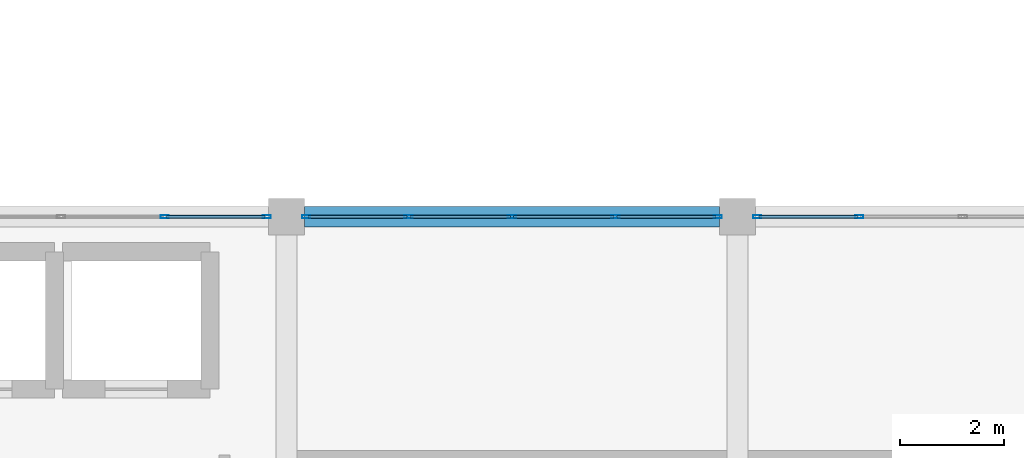
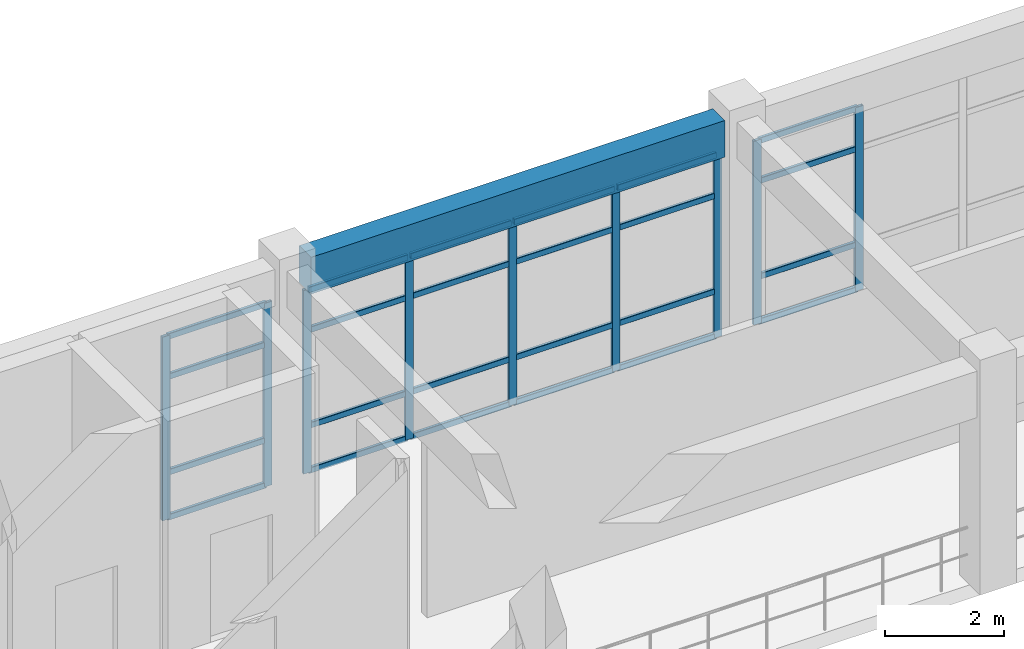
# One storey, part 24 of 64: 33 members, 1 beam, 3 elements without a shape of their own.
"""IFC4 building model written with IfcOpenShell, lengths in metres."""

from ifc_helpers import new_model, si_unit, derived_unit, direction, frame, origin, origin_2d, place, context, subcontext, project, spatial, rectangle, hollow_rectangle, extrude, material, layer, layer_set, material_profile, profile_set, type_object, element, aggregate, save


model = new_model("IFC4")

# Units and contexts
model_context = context("Model", 3, precision=1e-05, world=origin(), true_north=direction((0.0, 1.0)))
body_context = subcontext(model_context, "Body", "Model", "MODEL_VIEW")
ifc_project = project(units=[si_unit("LENGTHUNIT", "METRE"), si_unit("AREAUNIT", "SQUARE_METRE"), si_unit("VOLUMEUNIT", "CUBIC_METRE"), si_unit("PLANEANGLEUNIT", "RADIAN"), si_unit("MASSUNIT", "GRAM", prefix="KILO"), derived_unit("THERMALTRANSMITTANCEUNIT", [(si_unit("MASSUNIT", "GRAM", prefix="KILO"), 1), (si_unit("TIMEUNIT", "SECOND"), -3), (si_unit("THERMODYNAMICTEMPERATUREUNIT", "KELVIN"), -1)])], contexts=[model_context])

# Site, building, storey
site_placement = place(None, origin())
site = spatial("IfcSite", under=ifc_project, at=site_placement, CompositionType="ELEMENT")
building_placement = place(site_placement, origin())
building = spatial("IfcBuilding", under=site, at=building_placement, Name="Qinzheling Arcade Emporium", CompositionType="ELEMENT")
storey_placement = place(building_placement, frame((0.0, 0.0, 31.5)))
storey = spatial("IfcBuildingStorey", under=building, at=storey_placement, Name="L07", CompositionType="ELEMENT", Elevation=31.5)

# Curtain wall, members
ifc_material_1 = material(Name="Anodised aluminium and solar-control double glazing", Category="aluminium")
ifc_layer = layer(ifc_material_1, 0.159912109375, Name="Anodised aluminium and solar-control double glazing", Category="aluminium")
ifc_layer_set = layer_set([ifc_layer], Name="Anodised aluminium and solar-control double glazing")
curtain_wall_type = type_object("IfcCurtainWallType", Name="Atrium Clerestory Curtain Wall", PredefinedType="NOTDEFINED", material=ifc_layer_set)
curtain_wall_1_placement = place(storey_placement, origin())
curtain_wall_1 = element("IfcCurtainWall", 1, at=curtain_wall_1_placement, inside=storey, type_object=curtain_wall_type, Name="Curtain Wall CW-L07-417", PredefinedType="NOTDEFINED")
ifc_material_2 = material(Name="Anodised aluminium 6063-T6", Category="aluminium")
ifc_material_profile_1 = material_profile(ifc_material_2, hollow_rectangle(XDim=0.06005859375, YDim=0.159912109375, WallThickness=0.00390625, InnerFilletRadius=0.00390625, OuterFilletRadius=0.008056640625, at=origin_2d()), Name="RHS 160x60x4", Category="aluminium")
ifc_profile_set_1 = profile_set([ifc_material_profile_1], Name="Anodised aluminium 6063-T6")
member_type_1 = type_object("IfcMemberType", Name="Curtain Wall Mullion RHS160x60", PredefinedType="MULLION", material=ifc_profile_set_1)
member_1_placement = place(storey_placement, frame((49.84912109375, 73.800048828125, 0.0), z_axis=(0.0, 0.0, 1.0), x_axis=(0.0, 1.0, 0.0)))
member_1 = element("IfcMember", 2, at=member_1_placement, type_object=member_type_1, Name="CW03 mullion 4", PredefinedType="MULLION", context=body_context, shape_type="SweptSolid", body=[
    extrude(hollow_rectangle(XDim=0.06005859375, YDim=0.159912109375, WallThickness=0.00390625, InnerFilletRadius=0.00390625, OuterFilletRadius=0.008056640625, at=origin_2d()), origin(), (0.0, 0.0, 1.0), 3.7548828125),
])
member_2_placement = place(storey_placement, frame((51.818115234375, 73.800048828125, 0.0), z_axis=(0.0, 0.0, 1.0), x_axis=(0.0, 1.0, 0.0)))
member_2 = element("IfcMember", 3, at=member_2_placement, type_object=member_type_1, Name="CW03 mullion 5", PredefinedType="MULLION", context=body_context, shape_type="SweptSolid", body=[
    extrude(hollow_rectangle(XDim=0.06005859375, YDim=0.159912109375, WallThickness=0.00390625, InnerFilletRadius=0.00390625, OuterFilletRadius=0.008056640625, at=origin_2d()), origin(), (0.0, 0.0, 1.0), 3.7548828125),
])

curtain_wall_2_placement = place(storey_placement, origin())
curtain_wall_2 = element("IfcCurtainWall", 4, at=curtain_wall_2_placement, inside=storey, type_object=curtain_wall_type, Name="Curtain Wall CW-L07-418", PredefinedType="NOTDEFINED")
member_3_placement = place(storey_placement, frame((52.58203125, 73.800048828125, 0.0), z_axis=(0.0, 0.0, 1.0), x_axis=(0.0, 1.0, 0.0)))
member_3 = element("IfcMember", 5, at=member_3_placement, type_object=member_type_1, Name="CW03 mullion 1", PredefinedType="MULLION", context=body_context, shape_type="SweptSolid", body=[
    extrude(hollow_rectangle(XDim=0.06005859375, YDim=0.159912109375, WallThickness=0.00390625, InnerFilletRadius=0.00390625, OuterFilletRadius=0.008056640625, at=origin_2d()), origin(), (0.0, 0.0, 1.0), 3.7548828125),
])
member_4_placement = place(storey_placement, frame((54.551025390625, 73.800048828125, 0.0), z_axis=(0.0, 0.0, 1.0), x_axis=(0.0, 1.0, 0.0)))
member_4 = element("IfcMember", 6, at=member_4_placement, type_object=member_type_1, Name="CW03 mullion 2", PredefinedType="MULLION", context=body_context, shape_type="SweptSolid", body=[
    extrude(hollow_rectangle(XDim=0.06005859375, YDim=0.159912109375, WallThickness=0.00390625, InnerFilletRadius=0.00390625, OuterFilletRadius=0.008056640625, at=origin_2d()), origin(), (0.0, 0.0, 1.0), 3.7548828125),
])
member_5_placement = place(storey_placement, frame((56.550048828125, 73.800048828125, 0.0), z_axis=(0.0, 0.0, 1.0), x_axis=(0.0, 1.0, 0.0)))
member_5 = element("IfcMember", 7, at=member_5_placement, type_object=member_type_1, Name="CW03 mullion 3", PredefinedType="MULLION", context=body_context, shape_type="SweptSolid", body=[
    extrude(hollow_rectangle(XDim=0.06005859375, YDim=0.159912109375, WallThickness=0.00390625, InnerFilletRadius=0.00390625, OuterFilletRadius=0.008056640625, at=origin_2d()), origin(), (0.0, 0.0, 1.0), 3.7548828125),
])
member_6_placement = place(storey_placement, frame((58.549072265625, 73.800048828125, 0.0), z_axis=(0.0, 0.0, 1.0), x_axis=(0.0, 1.0, 0.0)))
member_6 = element("IfcMember", 8, at=member_6_placement, type_object=member_type_1, Name="CW03 mullion 4", PredefinedType="MULLION", context=body_context, shape_type="SweptSolid", body=[
    extrude(hollow_rectangle(XDim=0.06005859375, YDim=0.159912109375, WallThickness=0.00390625, InnerFilletRadius=0.00390625, OuterFilletRadius=0.008056640625, at=origin_2d()), origin(), (0.0, 0.0, 1.0), 3.7548828125),
])
member_7_placement = place(storey_placement, frame((60.51806640625, 73.800048828125, 0.0), z_axis=(0.0, 0.0, 1.0), x_axis=(0.0, 1.0, 0.0)))
member_7 = element("IfcMember", 9, at=member_7_placement, type_object=member_type_1, Name="CW03 mullion 5", PredefinedType="MULLION", context=body_context, shape_type="SweptSolid", body=[
    extrude(hollow_rectangle(XDim=0.06005859375, YDim=0.159912109375, WallThickness=0.00390625, InnerFilletRadius=0.00390625, OuterFilletRadius=0.008056640625, at=origin_2d()), origin(), (0.0, 0.0, 1.0), 3.7548828125),
])

curtain_wall_3_placement = place(storey_placement, origin())
curtain_wall_3 = element("IfcCurtainWall", 10, at=curtain_wall_3_placement, inside=storey, type_object=curtain_wall_type, Name="Curtain Wall CW-L07-419", PredefinedType="NOTDEFINED")
member_8_placement = place(storey_placement, frame((61.281982421875, 73.800048828125, 0.0), z_axis=(0.0, 0.0, 1.0), x_axis=(0.0, 1.0, 0.0)))
member_8 = element("IfcMember", 11, at=member_8_placement, type_object=member_type_1, Name="CW03 mullion 1", PredefinedType="MULLION", context=body_context, shape_type="SweptSolid", body=[
    extrude(hollow_rectangle(XDim=0.06005859375, YDim=0.159912109375, WallThickness=0.00390625, InnerFilletRadius=0.00390625, OuterFilletRadius=0.008056640625, at=origin_2d()), origin(), (0.0, 0.0, 1.0), 3.7548828125),
])
member_9_placement = place(storey_placement, frame((63.2509765625, 73.800048828125, 0.0), z_axis=(0.0, 0.0, 1.0), x_axis=(0.0, 1.0, 0.0)))
member_9 = element("IfcMember", 12, at=member_9_placement, type_object=member_type_1, Name="CW03 mullion 2", PredefinedType="MULLION", context=body_context, shape_type="SweptSolid", body=[
    extrude(hollow_rectangle(XDim=0.06005859375, YDim=0.159912109375, WallThickness=0.00390625, InnerFilletRadius=0.00390625, OuterFilletRadius=0.008056640625, at=origin_2d()), origin(), (0.0, 0.0, 1.0), 3.7548828125),
])

# Member
ifc_material_profile_2 = material_profile(ifc_material_2, hollow_rectangle(XDim=0.06005859375, YDim=0.1201171875, WallThickness=0.00390625, InnerFilletRadius=0.00390625, OuterFilletRadius=0.008056640625, at=origin_2d()), Name="RHS 120x60x4", Category="aluminium")
ifc_profile_set_2 = profile_set([ifc_material_profile_2], Name="Anodised aluminium 6063-T6")
member_type_2 = type_object("IfcMemberType", Name="Curtain Wall Transom RHS120x60", PredefinedType="USERDEFINED", material=ifc_profile_set_2)
member_10_placement = place(storey_placement, frame((49.87890625, 73.800048828125, 0.030029296875), z_axis=(1.0, 0.0, 0.0), x_axis=(0.0, 1.0, 0.0)))
member_10 = element("IfcMember", 13, at=member_10_placement, type_object=member_type_2, Name="CW03 transom 4.1", ObjectType="TRANSOM", PredefinedType="USERDEFINED", context=body_context, shape_type="SweptSolid", body=[
    extrude(hollow_rectangle(XDim=0.06005859375, YDim=0.1201171875, WallThickness=0.00390625, InnerFilletRadius=0.00390625, OuterFilletRadius=0.008056640625, at=origin_2d()), origin(), (0.0, 0.0, 1.0), 1.9091796875),
])

member_11_placement = place(storey_placement, frame((49.87890625, 73.800048828125, 0.949951171875), z_axis=(1.0, 0.0, 0.0), x_axis=(0.0, 1.0, 0.0)))
member_11 = element("IfcMember", 14, at=member_11_placement, type_object=member_type_2, Name="CW03 transom 4.2", ObjectType="TRANSOM", PredefinedType="USERDEFINED", context=body_context, shape_type="SweptSolid", body=[
    extrude(hollow_rectangle(XDim=0.06005859375, YDim=0.1201171875, WallThickness=0.00390625, InnerFilletRadius=0.00390625, OuterFilletRadius=0.008056640625, at=origin_2d()), origin(), (0.0, 0.0, 1.0), 1.9091796875),
])

member_12_placement = place(storey_placement, frame((49.87890625, 73.800048828125, 2.905029296875), z_axis=(1.0, 0.0, 0.0), x_axis=(0.0, 1.0, 0.0)))
member_12 = element("IfcMember", 15, at=member_12_placement, type_object=member_type_2, Name="CW03 transom 4.3", ObjectType="TRANSOM", PredefinedType="USERDEFINED", context=body_context, shape_type="SweptSolid", body=[
    extrude(hollow_rectangle(XDim=0.06005859375, YDim=0.1201171875, WallThickness=0.00390625, InnerFilletRadius=0.00390625, OuterFilletRadius=0.008056640625, at=origin_2d()), origin(), (0.0, 0.0, 1.0), 1.9091796875),
])

member_13_placement = place(storey_placement, frame((49.87890625, 73.800048828125, 3.72509765625), z_axis=(1.0, 0.0, 0.0), x_axis=(0.0, 1.0, 0.0)))
member_13 = element("IfcMember", 16, at=member_13_placement, type_object=member_type_2, Name="CW03 transom 4.4", ObjectType="TRANSOM", PredefinedType="USERDEFINED", context=body_context, shape_type="SweptSolid", body=[
    extrude(hollow_rectangle(XDim=0.06005859375, YDim=0.1201171875, WallThickness=0.00390625, InnerFilletRadius=0.00390625, OuterFilletRadius=0.008056640625, at=origin_2d()), origin(), (0.0, 0.0, 1.0), 1.9091796875),
])

aggregate(curtain_wall_1, [member_1, member_2, member_10, member_11, member_12, member_13])

member_14_placement = place(storey_placement, frame((52.612060546875, 73.800048828125, 0.030029296875), z_axis=(1.0, 0.0, 0.0), x_axis=(0.0, 1.0, 0.0)))
member_14 = element("IfcMember", 17, at=member_14_placement, type_object=member_type_2, Name="CW03 transom 1.1", ObjectType="TRANSOM", PredefinedType="USERDEFINED", context=body_context, shape_type="SweptSolid", body=[
    extrude(hollow_rectangle(XDim=0.06005859375, YDim=0.1201171875, WallThickness=0.00390625, InnerFilletRadius=0.00390625, OuterFilletRadius=0.008056640625, at=origin_2d()), origin(), (0.0, 0.0, 1.0), 1.908935546875),
])

member_15_placement = place(storey_placement, frame((52.612060546875, 73.800048828125, 0.949951171875), z_axis=(1.0, 0.0, 0.0), x_axis=(0.0, 1.0, 0.0)))
member_15 = element("IfcMember", 18, at=member_15_placement, type_object=member_type_2, Name="CW03 transom 1.2", ObjectType="TRANSOM", PredefinedType="USERDEFINED", context=body_context, shape_type="SweptSolid", body=[
    extrude(hollow_rectangle(XDim=0.06005859375, YDim=0.1201171875, WallThickness=0.00390625, InnerFilletRadius=0.00390625, OuterFilletRadius=0.008056640625, at=origin_2d()), origin(), (0.0, 0.0, 1.0), 1.908935546875),
])

member_16_placement = place(storey_placement, frame((52.612060546875, 73.800048828125, 2.905029296875), z_axis=(1.0, 0.0, 0.0), x_axis=(0.0, 1.0, 0.0)))
member_16 = element("IfcMember", 19, at=member_16_placement, type_object=member_type_2, Name="CW03 transom 1.3", ObjectType="TRANSOM", PredefinedType="USERDEFINED", context=body_context, shape_type="SweptSolid", body=[
    extrude(hollow_rectangle(XDim=0.06005859375, YDim=0.1201171875, WallThickness=0.00390625, InnerFilletRadius=0.00390625, OuterFilletRadius=0.008056640625, at=origin_2d()), origin(), (0.0, 0.0, 1.0), 1.908935546875),
])

member_17_placement = place(storey_placement, frame((52.612060546875, 73.800048828125, 3.72509765625), z_axis=(1.0, 0.0, 0.0), x_axis=(0.0, 1.0, 0.0)))
member_17 = element("IfcMember", 20, at=member_17_placement, type_object=member_type_2, Name="CW03 transom 1.4", ObjectType="TRANSOM", PredefinedType="USERDEFINED", context=body_context, shape_type="SweptSolid", body=[
    extrude(hollow_rectangle(XDim=0.06005859375, YDim=0.1201171875, WallThickness=0.00390625, InnerFilletRadius=0.00390625, OuterFilletRadius=0.008056640625, at=origin_2d()), origin(), (0.0, 0.0, 1.0), 1.908935546875),
])

member_18_placement = place(storey_placement, frame((54.5810546875, 73.800048828125, 0.030029296875), z_axis=(1.0, 0.0, 0.0), x_axis=(0.0, 1.0, 0.0)))
member_18 = element("IfcMember", 21, at=member_18_placement, type_object=member_type_2, Name="CW03 transom 2.1", ObjectType="TRANSOM", PredefinedType="USERDEFINED", context=body_context, shape_type="SweptSolid", body=[
    extrude(hollow_rectangle(XDim=0.06005859375, YDim=0.1201171875, WallThickness=0.00390625, InnerFilletRadius=0.00390625, OuterFilletRadius=0.008056640625, at=origin_2d()), origin(), (0.0, 0.0, 1.0), 1.93896484375),
])

member_19_placement = place(storey_placement, frame((54.5810546875, 73.800048828125, 0.949951171875), z_axis=(1.0, 0.0, 0.0), x_axis=(0.0, 1.0, 0.0)))
member_19 = element("IfcMember", 22, at=member_19_placement, type_object=member_type_2, Name="CW03 transom 2.2", ObjectType="TRANSOM", PredefinedType="USERDEFINED", context=body_context, shape_type="SweptSolid", body=[
    extrude(hollow_rectangle(XDim=0.06005859375, YDim=0.1201171875, WallThickness=0.00390625, InnerFilletRadius=0.00390625, OuterFilletRadius=0.008056640625, at=origin_2d()), origin(), (0.0, 0.0, 1.0), 1.93896484375),
])

member_20_placement = place(storey_placement, frame((54.5810546875, 73.800048828125, 2.905029296875), z_axis=(1.0, 0.0, 0.0), x_axis=(0.0, 1.0, 0.0)))
member_20 = element("IfcMember", 23, at=member_20_placement, type_object=member_type_2, Name="CW03 transom 2.3", ObjectType="TRANSOM", PredefinedType="USERDEFINED", context=body_context, shape_type="SweptSolid", body=[
    extrude(hollow_rectangle(XDim=0.06005859375, YDim=0.1201171875, WallThickness=0.00390625, InnerFilletRadius=0.00390625, OuterFilletRadius=0.008056640625, at=origin_2d()), origin(), (0.0, 0.0, 1.0), 1.93896484375),
])

member_21_placement = place(storey_placement, frame((54.5810546875, 73.800048828125, 3.72509765625), z_axis=(1.0, 0.0, 0.0), x_axis=(0.0, 1.0, 0.0)))
member_21 = element("IfcMember", 24, at=member_21_placement, type_object=member_type_2, Name="CW03 transom 2.4", ObjectType="TRANSOM", PredefinedType="USERDEFINED", context=body_context, shape_type="SweptSolid", body=[
    extrude(hollow_rectangle(XDim=0.06005859375, YDim=0.1201171875, WallThickness=0.00390625, InnerFilletRadius=0.00390625, OuterFilletRadius=0.008056640625, at=origin_2d()), origin(), (0.0, 0.0, 1.0), 1.93896484375),
])

member_22_placement = place(storey_placement, frame((56.580078125, 73.800048828125, 0.030029296875), z_axis=(1.0, 0.0, 0.0), x_axis=(0.0, 1.0, 0.0)))
member_22 = element("IfcMember", 25, at=member_22_placement, type_object=member_type_2, Name="CW03 transom 3.1", ObjectType="TRANSOM", PredefinedType="USERDEFINED", context=body_context, shape_type="SweptSolid", body=[
    extrude(hollow_rectangle(XDim=0.06005859375, YDim=0.1201171875, WallThickness=0.00390625, InnerFilletRadius=0.00390625, OuterFilletRadius=0.008056640625, at=origin_2d()), origin(), (0.0, 0.0, 1.0), 1.93896484375),
])

member_23_placement = place(storey_placement, frame((56.580078125, 73.800048828125, 0.949951171875), z_axis=(1.0, 0.0, 0.0), x_axis=(0.0, 1.0, 0.0)))
member_23 = element("IfcMember", 26, at=member_23_placement, type_object=member_type_2, Name="CW03 transom 3.2", ObjectType="TRANSOM", PredefinedType="USERDEFINED", context=body_context, shape_type="SweptSolid", body=[
    extrude(hollow_rectangle(XDim=0.06005859375, YDim=0.1201171875, WallThickness=0.00390625, InnerFilletRadius=0.00390625, OuterFilletRadius=0.008056640625, at=origin_2d()), origin(), (0.0, 0.0, 1.0), 1.93896484375),
])

member_24_placement = place(storey_placement, frame((56.580078125, 73.800048828125, 2.905029296875), z_axis=(1.0, 0.0, 0.0), x_axis=(0.0, 1.0, 0.0)))
member_24 = element("IfcMember", 27, at=member_24_placement, type_object=member_type_2, Name="CW03 transom 3.3", ObjectType="TRANSOM", PredefinedType="USERDEFINED", context=body_context, shape_type="SweptSolid", body=[
    extrude(hollow_rectangle(XDim=0.06005859375, YDim=0.1201171875, WallThickness=0.00390625, InnerFilletRadius=0.00390625, OuterFilletRadius=0.008056640625, at=origin_2d()), origin(), (0.0, 0.0, 1.0), 1.93896484375),
])

member_25_placement = place(storey_placement, frame((56.580078125, 73.800048828125, 3.72509765625), z_axis=(1.0, 0.0, 0.0), x_axis=(0.0, 1.0, 0.0)))
member_25 = element("IfcMember", 28, at=member_25_placement, type_object=member_type_2, Name="CW03 transom 3.4", ObjectType="TRANSOM", PredefinedType="USERDEFINED", context=body_context, shape_type="SweptSolid", body=[
    extrude(hollow_rectangle(XDim=0.06005859375, YDim=0.1201171875, WallThickness=0.00390625, InnerFilletRadius=0.00390625, OuterFilletRadius=0.008056640625, at=origin_2d()), origin(), (0.0, 0.0, 1.0), 1.93896484375),
])

member_26_placement = place(storey_placement, frame((58.5791015625, 73.800048828125, 0.030029296875), z_axis=(1.0, 0.0, 0.0), x_axis=(0.0, 1.0, 0.0)))
member_26 = element("IfcMember", 29, at=member_26_placement, type_object=member_type_2, Name="CW03 transom 4.1", ObjectType="TRANSOM", PredefinedType="USERDEFINED", context=body_context, shape_type="SweptSolid", body=[
    extrude(hollow_rectangle(XDim=0.06005859375, YDim=0.1201171875, WallThickness=0.00390625, InnerFilletRadius=0.00390625, OuterFilletRadius=0.008056640625, at=origin_2d()), origin(), (0.0, 0.0, 1.0), 1.908935546875),
])

member_27_placement = place(storey_placement, frame((58.5791015625, 73.800048828125, 0.949951171875), z_axis=(1.0, 0.0, 0.0), x_axis=(0.0, 1.0, 0.0)))
member_27 = element("IfcMember", 30, at=member_27_placement, type_object=member_type_2, Name="CW03 transom 4.2", ObjectType="TRANSOM", PredefinedType="USERDEFINED", context=body_context, shape_type="SweptSolid", body=[
    extrude(hollow_rectangle(XDim=0.06005859375, YDim=0.1201171875, WallThickness=0.00390625, InnerFilletRadius=0.00390625, OuterFilletRadius=0.008056640625, at=origin_2d()), origin(), (0.0, 0.0, 1.0), 1.908935546875),
])

member_28_placement = place(storey_placement, frame((58.5791015625, 73.800048828125, 2.905029296875), z_axis=(1.0, 0.0, 0.0), x_axis=(0.0, 1.0, 0.0)))
member_28 = element("IfcMember", 31, at=member_28_placement, type_object=member_type_2, Name="CW03 transom 4.3", ObjectType="TRANSOM", PredefinedType="USERDEFINED", context=body_context, shape_type="SweptSolid", body=[
    extrude(hollow_rectangle(XDim=0.06005859375, YDim=0.1201171875, WallThickness=0.00390625, InnerFilletRadius=0.00390625, OuterFilletRadius=0.008056640625, at=origin_2d()), origin(), (0.0, 0.0, 1.0), 1.908935546875),
])

member_29_placement = place(storey_placement, frame((58.5791015625, 73.800048828125, 3.72509765625), z_axis=(1.0, 0.0, 0.0), x_axis=(0.0, 1.0, 0.0)))
member_29 = element("IfcMember", 32, at=member_29_placement, type_object=member_type_2, Name="CW03 transom 4.4", ObjectType="TRANSOM", PredefinedType="USERDEFINED", context=body_context, shape_type="SweptSolid", body=[
    extrude(hollow_rectangle(XDim=0.06005859375, YDim=0.1201171875, WallThickness=0.00390625, InnerFilletRadius=0.00390625, OuterFilletRadius=0.008056640625, at=origin_2d()), origin(), (0.0, 0.0, 1.0), 1.908935546875),
])

aggregate(curtain_wall_2, [member_3, member_4, member_5, member_6, member_7, member_14, member_15, member_16, member_17, member_18, member_19, member_20, member_21, member_22, member_23, member_24, member_25, member_26, member_27, member_28, member_29])

member_30_placement = place(storey_placement, frame((61.31201171875, 73.800048828125, 0.030029296875), z_axis=(1.0, 0.0, 0.0), x_axis=(0.0, 1.0, 0.0)))
member_30 = element("IfcMember", 33, at=member_30_placement, type_object=member_type_2, Name="CW03 transom 1.1", ObjectType="TRANSOM", PredefinedType="USERDEFINED", context=body_context, shape_type="SweptSolid", body=[
    extrude(hollow_rectangle(XDim=0.06005859375, YDim=0.1201171875, WallThickness=0.00390625, InnerFilletRadius=0.00390625, OuterFilletRadius=0.008056640625, at=origin_2d()), origin(), (0.0, 0.0, 1.0), 1.908935546875),
])

member_31_placement = place(storey_placement, frame((61.31201171875, 73.800048828125, 0.949951171875), z_axis=(1.0, 0.0, 0.0), x_axis=(0.0, 1.0, 0.0)))
member_31 = element("IfcMember", 34, at=member_31_placement, type_object=member_type_2, Name="CW03 transom 1.2", ObjectType="TRANSOM", PredefinedType="USERDEFINED", context=body_context, shape_type="SweptSolid", body=[
    extrude(hollow_rectangle(XDim=0.06005859375, YDim=0.1201171875, WallThickness=0.00390625, InnerFilletRadius=0.00390625, OuterFilletRadius=0.008056640625, at=origin_2d()), origin(), (0.0, 0.0, 1.0), 1.908935546875),
])

member_32_placement = place(storey_placement, frame((61.31201171875, 73.800048828125, 2.905029296875), z_axis=(1.0, 0.0, 0.0), x_axis=(0.0, 1.0, 0.0)))
member_32 = element("IfcMember", 35, at=member_32_placement, type_object=member_type_2, Name="CW03 transom 1.3", ObjectType="TRANSOM", PredefinedType="USERDEFINED", context=body_context, shape_type="SweptSolid", body=[
    extrude(hollow_rectangle(XDim=0.06005859375, YDim=0.1201171875, WallThickness=0.00390625, InnerFilletRadius=0.00390625, OuterFilletRadius=0.008056640625, at=origin_2d()), origin(), (0.0, 0.0, 1.0), 1.908935546875),
])

member_33_placement = place(storey_placement, frame((61.31201171875, 73.800048828125, 3.72509765625), z_axis=(1.0, 0.0, 0.0), x_axis=(0.0, 1.0, 0.0)))
member_33 = element("IfcMember", 36, at=member_33_placement, type_object=member_type_2, Name="CW03 transom 1.4", ObjectType="TRANSOM", PredefinedType="USERDEFINED", context=body_context, shape_type="SweptSolid", body=[
    extrude(hollow_rectangle(XDim=0.06005859375, YDim=0.1201171875, WallThickness=0.00390625, InnerFilletRadius=0.00390625, OuterFilletRadius=0.008056640625, at=origin_2d()), origin(), (0.0, 0.0, 1.0), 1.908935546875),
])

aggregate(curtain_wall_3, [member_8, member_9, member_30, member_31, member_32, member_33])

# Beam
ifc_material_3 = material(Name="Concrete C40", Category="concrete")
ifc_material_profile_3 = material_profile(ifc_material_3, rectangle(XDim=0.39990234375, YDim=0.75, at=origin_2d()), Name="RC 400x750", Category="concrete")
ifc_profile_set_3 = profile_set([ifc_material_profile_3], Name="Concrete C40")
beam_type = type_object("IfcBeamType", Name="RC Interior Tie Beam 400x750 C40", PredefinedType="BEAM", material=ifc_profile_set_3)
beam_placement = place(storey_placement, frame((52.550048828125, 73.800048828125, 4.14501953125), z_axis=(1.0, 0.0, 0.0), x_axis=(0.0, 1.0, 0.0)))
element("IfcBeam", 37, at=beam_placement, inside=storey, type_object=beam_type, Name="Beam BM-L07-X-J-7", PredefinedType="BEAM", context=body_context, shape_type="SweptSolid", body=[
    extrude(rectangle(XDim=0.39990234375, YDim=0.75, at=origin_2d()), origin(), (0.0, 0.0, 1.0), 8.0),
])

save(model, "model.ifc")
